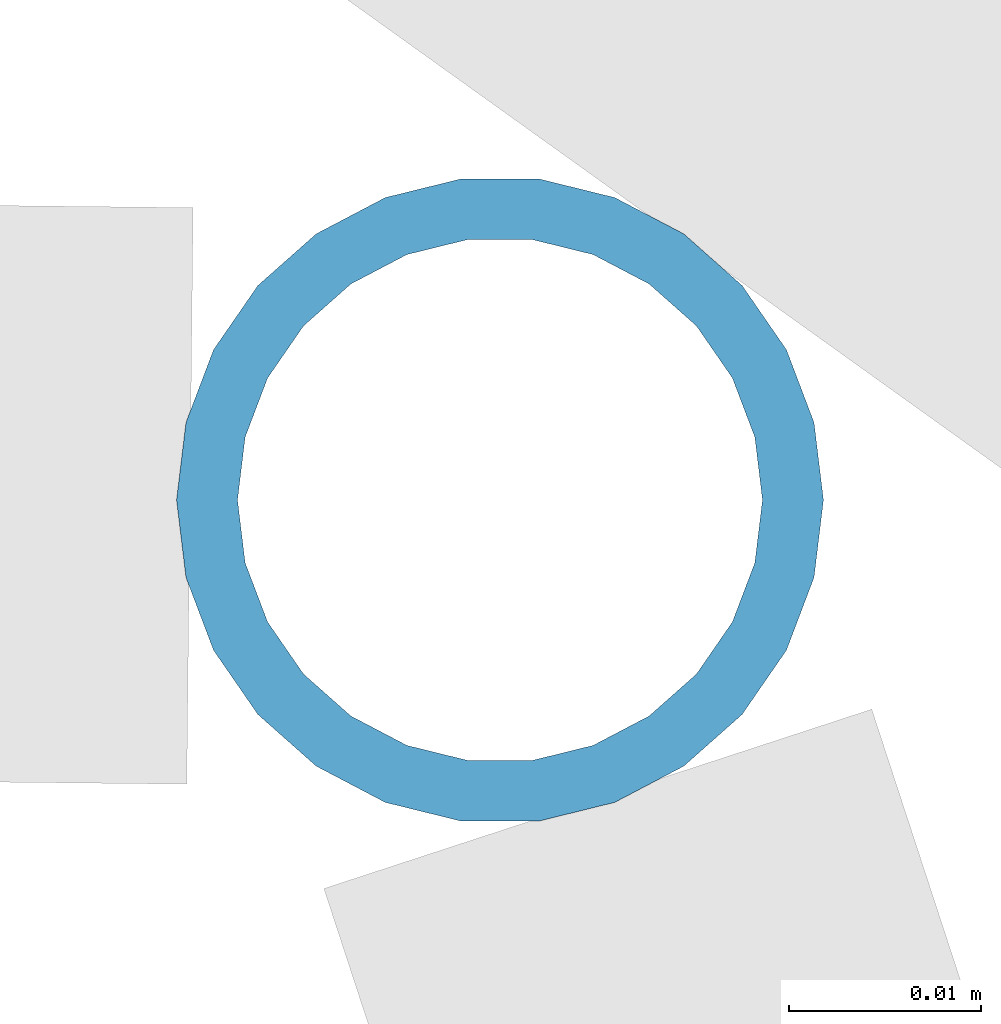
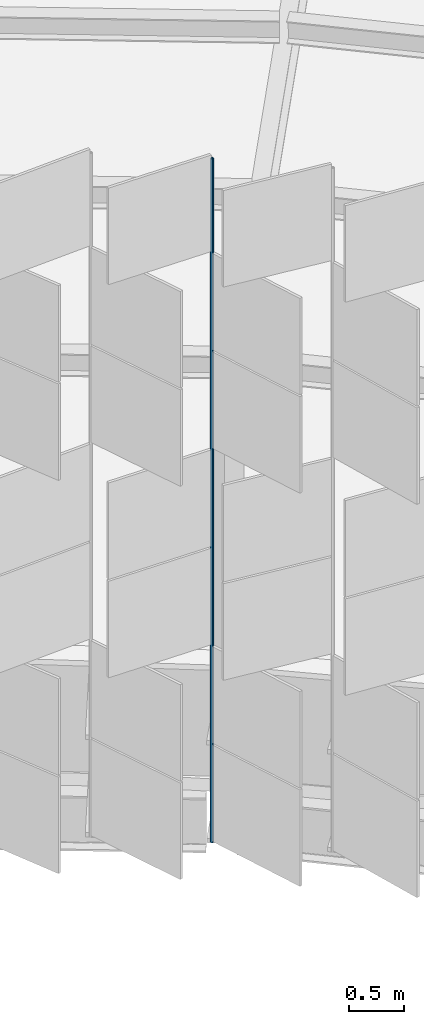
# One storey, part 263 of 483: 1 discrete accessory.
"""IFC4 building model written with IfcOpenShell, lengths in metres."""

from ifc_helpers import new_model, si_unit, direction, frame, origin, origin_2d, place, context, subcontext, project, spatial, hollow_circle, extrude, material, material_profile, profile_set, type_object, element, save


model = new_model("IFC4")

# Units and contexts
model_context = context("Model", 3, precision=1e-05, world=origin(), true_north=direction((0.0, 1.0)))
body_context = subcontext(model_context, "Body", "Model", "MODEL_VIEW")
ifc_project = project(units=[si_unit("LENGTHUNIT", "METRE"), si_unit("AREAUNIT", "SQUARE_METRE"), si_unit("VOLUMEUNIT", "CUBIC_METRE"), si_unit("PLANEANGLEUNIT", "RADIAN"), si_unit("MASSUNIT", "GRAM", prefix="KILO")], contexts=[model_context])

# Site, building, storey
site_placement = place(None, origin())
site = spatial("IfcSite", under=ifc_project, at=site_placement, CompositionType="ELEMENT")
building_placement = place(site_placement, origin())
building = spatial("IfcBuilding", under=site, at=building_placement, Name="Parallax Yard Mobility Hub", CompositionType="ELEMENT")
storey_placement = place(building_placement, frame((0.0, 0.0, 13.199951171875)))
storey = spatial("IfcBuildingStorey", under=building, at=storey_placement, Name="L04", CompositionType="ELEMENT", Elevation=13.199951171875)

# Discrete accessory
ifc_material = material(Name="Steel ASTM A500 Gr C, hot-dip galvanised", Category="steel")
ifc_material_profile = material_profile(ifc_material, hollow_circle(Radius=0.016845703125, WallThickness=0.003173828125, at=origin_2d()), Name="CHS 33.7x3.2")
ifc_profile_set = profile_set([ifc_material_profile], Name="Steel ASTM A500 Gr C, hot-dip galvanised")
discrete_accessory_type = type_object("IfcDiscreteAccessoryType", Name="Hinge post CHS 33.7x3.2", PredefinedType="BRACKET", material=ifc_profile_set)
discrete_accessory_placement = place(storey_placement, frame((185.134521484375, 107.381591796875, 0.0), z_axis=(0.0, 0.0, 1.0), x_axis=(1.0, 0.0, 0.0)))
element("IfcDiscreteAccessory", 1, at=discrete_accessory_placement, inside=storey, type_object=discrete_accessory_type, Name="Hinge post bay 20.1 level L04", PredefinedType="BRACKET", context=body_context, shape_type="SweptSolid", body=[
    extrude(hollow_circle(Radius=0.016845703125, WallThickness=0.003173828125, at=origin_2d()), origin(), (0.0, 0.0, 1.0), 7.650146484375),
])

save(model, "model.ifc")
